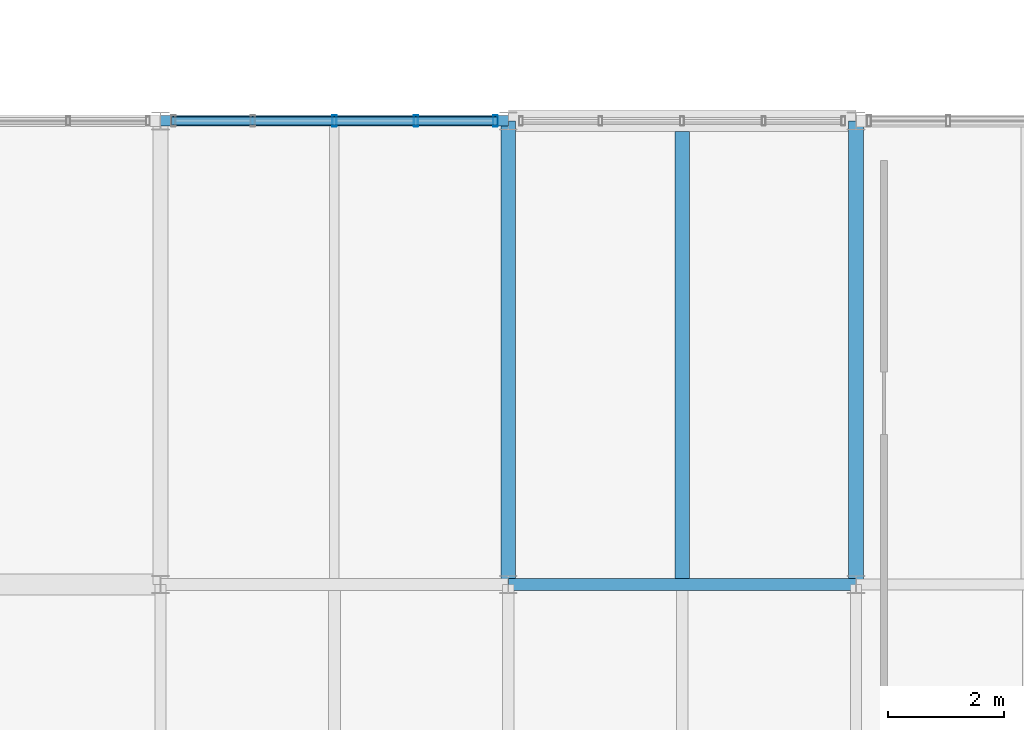
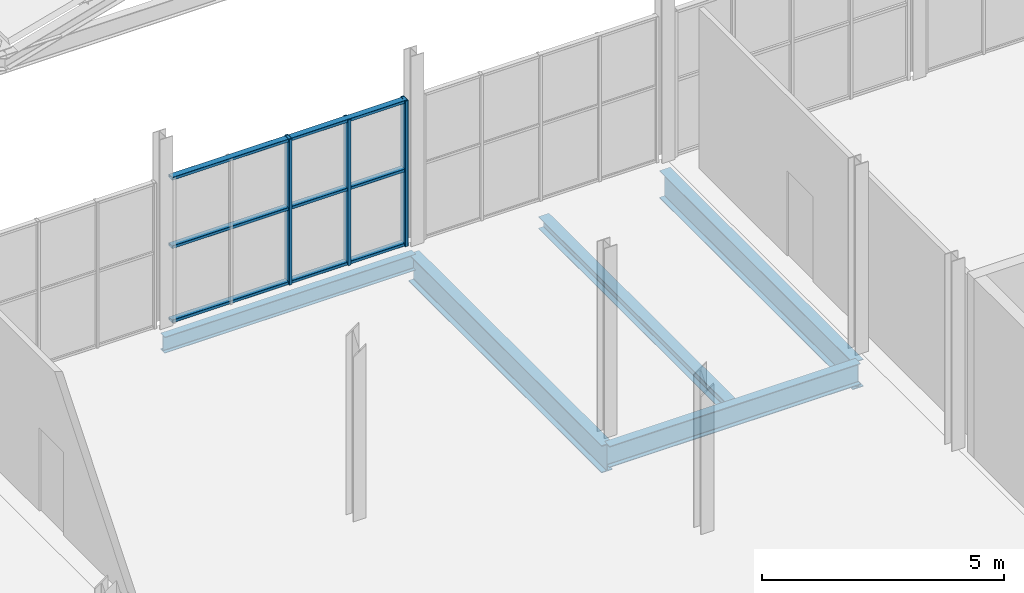
# One storey, part 74 of 114: 6 members, 5 beams, 1 element without a shape of its own.
"""IFC4 building model written with IfcOpenShell, lengths in metres."""

from ifc_helpers import new_model, si_unit, direction, frame, origin, origin_2d, place, context, subcontext, project, spatial, hollow_rectangle, i_section, extrude, material, material_profile, profile_set, type_object, element, aggregate, save


model = new_model("IFC4")

# Units and contexts
model_context = context("Model", 3, precision=1e-05, world=origin(), true_north=direction((0.0, 1.0)))
body_context = subcontext(model_context, "Body", "Model", "MODEL_VIEW")
ifc_project = project(units=[si_unit("LENGTHUNIT", "METRE"), si_unit("AREAUNIT", "SQUARE_METRE"), si_unit("VOLUMEUNIT", "CUBIC_METRE"), si_unit("PLANEANGLEUNIT", "RADIAN"), si_unit("MASSUNIT", "GRAM", prefix="KILO")], contexts=[model_context])

# Site, building, storey
site_placement = place(None, origin())
site = spatial("IfcSite", under=ifc_project, at=site_placement, CompositionType="ELEMENT")
building_placement = place(site_placement, origin())
building = spatial("IfcBuilding", under=site, at=building_placement, Name="Verrall Gate Interchange", CompositionType="ELEMENT")
storey_placement = place(building_placement, frame((0.0, 0.0, 6.60009765625)))
storey = spatial("IfcBuildingStorey", under=building, at=storey_placement, Name="L02", CompositionType="ELEMENT", Elevation=6.60009765625)

# Beams
ifc_material_1 = material(Name="Structural Steel CSA G40.21 350WT Cat 4", Category="steel")
ifc_material_profile_1 = material_profile(ifc_material_1, i_section(OverallWidth=0.256103515625, OverallDepth=0.693115234375, WebThickness=0.01318359375, FlangeThickness=0.02001953125, FilletRadius=0.01611328125, at=origin_2d()), Name="W690x170")
ifc_profile_set_1 = profile_set([ifc_material_profile_1], Name="Structural Steel CSA G40.21 350WT Cat 4")
beam_type_1 = type_object("IfcBeamType", Name="B-07 Structural Beam W690x170", PredefinedType="BEAM", material=ifc_profile_set_1)
for number, where, z_axis, x_axis, name in (
    (1, (144.0, 48.0, -0.626708984375), (0.0, 1.0, 0.0), (-1.0, 0.0, 0.0), "L02 Girder BM-L02-1806 (B-07)"),
    (2, (150.0, 48.0, -0.626708984375), (0.0, 1.0, 0.0), (-1.0, 0.0, 0.0), "L02 Girder BM-L02-1814 (B-07)"),
):
    element("IfcBeam", number, at=place(storey_placement, frame(where, z_axis=z_axis, x_axis=x_axis)), inside=storey, type_object=beam_type_1, Name=name, PredefinedType="BEAM", context=body_context, shape_type="SweptSolid", body=[
        extrude(i_section(OverallWidth=0.256103515625, OverallDepth=0.693115234375, WebThickness=0.01318359375, FlangeThickness=0.02001953125, FilletRadius=0.01611328125, at=origin_2d()), origin(), (0.0, 0.0, 1.0), 8.0),
    ])
ifc_material_2 = material(Name="Structural Steel CSA G40.21 350W", Category="steel")
ifc_material_profile_2 = material_profile(ifc_material_2, i_section(OverallWidth=0.2109375, OverallDepth=0.5390625, WebThickness=0.01171875, FlangeThickness=0.018798828125, FilletRadius=0.013916015625, at=origin_2d()), Name="W530x109")
ifc_profile_set_2 = profile_set([ifc_material_profile_2], Name="Structural Steel CSA G40.21 350W")
beam_type_2 = type_object("IfcBeamType", Name="B-10 Structural Beam W530x109", PredefinedType="BEAM", material=ifc_profile_set_2)
beam_1_placement = place(storey_placement, frame((144.0, 48.0, -0.549560546875), z_axis=(1.0, 0.0, 0.0), x_axis=(0.0, 1.0, 0.0)))
element("IfcBeam", 3, at=beam_1_placement, inside=storey, type_object=beam_type_2, Name="L02 Girder BM-L02-1584 (B-10)", PredefinedType="BEAM", context=body_context, shape_type="SweptSolid", body=[
    extrude(i_section(OverallWidth=0.2109375, OverallDepth=0.5390625, WebThickness=0.01171875, FlangeThickness=0.018798828125, FilletRadius=0.013916015625, at=origin_2d()), origin(), (0.0, 0.0, 1.0), 6.0),
])
ifc_material_3 = material(Name="Structural Steel CSA G40.21 350W", Category="steel")
ifc_material_profile_3 = material_profile(ifc_material_3, i_section(OverallWidth=0.178955078125, OverallDepth=0.409912109375, WebThickness=0.0087890625, FlangeThickness=0.014404296875, FilletRadius=0.011962890625, at=origin_2d()), Name="W410x67")
ifc_profile_set_3 = profile_set([ifc_material_profile_3], Name="Structural Steel CSA G40.21 350W")
beam_type_3 = type_object("IfcBeamType", Name="B-12 Structural Beam W410x67", PredefinedType="BEAM", material=ifc_profile_set_3)
beam_2_placement = place(storey_placement, frame((138.0, 56.0, -0.485107421875), z_axis=(1.0, 0.0, 0.0), x_axis=(0.0, 1.0, 0.0)))
element("IfcBeam", 4, at=beam_2_placement, inside=storey, type_object=beam_type_3, Name="L02 Girder BM-L02-1605 (B-12)", PredefinedType="BEAM", context=body_context, shape_type="SweptSolid", body=[
    extrude(i_section(OverallWidth=0.178955078125, OverallDepth=0.409912109375, WebThickness=0.0087890625, FlangeThickness=0.014404296875, FilletRadius=0.011962890625, at=origin_2d()), origin(), (0.0, 0.0, 1.0), 6.0),
])

# Curtain wall, members
ifc_material_4 = material(Name="Thermally Broken Anodized Aluminium Curtain Wall Framing", Category="aluminium")
curtain_wall_type = type_object("IfcCurtainWallType", Name="CW-28 Unitized Curtain Wall 5629x3680", PredefinedType="NOTDEFINED", material=ifc_material_4)
curtain_wall_placement = place(storey_placement, origin())
curtain_wall = element("IfcCurtainWall", 5, at=curtain_wall_placement, inside=storey, type_object=curtain_wall_type, Name="L02 Unitized Curtain Wall CW-L02-099", PredefinedType="NOTDEFINED")
ifc_material_5 = material(Name="Thermally Broken Anodized Aluminium Curtain Wall Framing", Category="aluminium")
ifc_material_profile_4 = material_profile(ifc_material_5, hollow_rectangle(XDim=0.074951171875, YDim=0.199951171875, WallThickness=0.0048828125, InnerFilletRadius=0.0048828125, OuterFilletRadius=0.010009765625, at=origin_2d()), Name="CWM200x75x5")
ifc_profile_set_4 = profile_set([ifc_material_profile_4], Name="Thermally Broken Anodized Aluminium Curtain Wall Framing")
member_type_1 = type_object("IfcMemberType", Name="CM-02 Curtain Mullion CWM200x75x5", PredefinedType="MULLION", material=ifc_profile_set_4)
member_1_placement = place(storey_placement, frame((143.777099609375, 56.0, 0.0), z_axis=(0.0, 0.0, 1.0), x_axis=(-1.0, 0.0, 0.0)))
member_1 = element("IfcMember", 6, at=member_1_placement, type_object=member_type_1, Name="CW-L02-099 Mullion 1", PredefinedType="MULLION", context=body_context, shape_type="SweptSolid", body=[
    extrude(hollow_rectangle(XDim=0.074951171875, YDim=0.199951171875, WallThickness=0.0048828125, InnerFilletRadius=0.0048828125, OuterFilletRadius=0.010009765625, at=origin_2d()), origin(), (0.0, 0.0, 1.0), 3.679931640625),
])
member_2_placement = place(storey_placement, frame((142.4072265625, 56.0, 0.0), z_axis=(0.0, 0.0, 1.0), x_axis=(-1.0, 0.0, 0.0)))
member_2 = element("IfcMember", 7, at=member_2_placement, type_object=member_type_1, Name="CW-L02-099 Mullion 2", PredefinedType="MULLION", context=body_context, shape_type="SweptSolid", body=[
    extrude(hollow_rectangle(XDim=0.074951171875, YDim=0.199951171875, WallThickness=0.0048828125, InnerFilletRadius=0.0048828125, OuterFilletRadius=0.010009765625, at=origin_2d()), origin(), (0.0, 0.0, 1.0), 3.679931640625),
])
member_3_placement = place(storey_placement, frame((141.0, 56.0, 0.0), z_axis=(0.0, 0.0, 1.0), x_axis=(-1.0, 0.0, 0.0)))
member_3 = element("IfcMember", 8, at=member_3_placement, type_object=member_type_1, Name="CW-L02-099 Mullion 3", PredefinedType="MULLION", context=body_context, shape_type="SweptSolid", body=[
    extrude(hollow_rectangle(XDim=0.074951171875, YDim=0.199951171875, WallThickness=0.0048828125, InnerFilletRadius=0.0048828125, OuterFilletRadius=0.010009765625, at=origin_2d()), origin(), (0.0, 0.0, 1.0), 3.679931640625),
])
ifc_material_6 = material(Name="Thermally Broken Anodized Aluminium Curtain Wall Framing", Category="aluminium")
ifc_material_profile_5 = material_profile(ifc_material_6, hollow_rectangle(XDim=0.14990234375, YDim=0.074951171875, WallThickness=0.00439453125, InnerFilletRadius=0.00439453125, OuterFilletRadius=0.009033203125, at=origin_2d()), Name="CWT150x75x4.5")
ifc_profile_set_5 = profile_set([ifc_material_profile_5], Name="Thermally Broken Anodized Aluminium Curtain Wall Framing")
member_type_2 = type_object("IfcMemberType", Name="CT-02 Curtain Transom CWT150x75x4.5", PredefinedType="USERDEFINED", material=ifc_profile_set_5)
member_4_placement = place(storey_placement, frame((143.814453125, 56.0, 0.037353515625), z_axis=(-1.0, 0.0, 0.0), x_axis=(0.0, -1.0, 0.0)))
member_4 = element("IfcMember", 9, at=member_4_placement, type_object=member_type_2, Name="CW-L02-099 Transom 1", ObjectType="TRANSOM", PredefinedType="USERDEFINED", context=body_context, shape_type="SweptSolid", body=[
    extrude(hollow_rectangle(XDim=0.14990234375, YDim=0.074951171875, WallThickness=0.00439453125, InnerFilletRadius=0.00439453125, OuterFilletRadius=0.009033203125, at=origin_2d()), origin(), (0.0, 0.0, 1.0), 5.62890625),
])
member_5_placement = place(storey_placement, frame((143.814453125, 56.0, 1.91357421875), z_axis=(-1.0, 0.0, 0.0), x_axis=(0.0, -1.0, 0.0)))
member_5 = element("IfcMember", 10, at=member_5_placement, type_object=member_type_2, Name="CW-L02-099 Transom 2", ObjectType="TRANSOM", PredefinedType="USERDEFINED", context=body_context, shape_type="SweptSolid", body=[
    extrude(hollow_rectangle(XDim=0.14990234375, YDim=0.074951171875, WallThickness=0.00439453125, InnerFilletRadius=0.00439453125, OuterFilletRadius=0.009033203125, at=origin_2d()), origin(), (0.0, 0.0, 1.0), 5.62890625),
])
member_6_placement = place(storey_placement, frame((143.814453125, 56.0, 3.642333984375), z_axis=(-1.0, 0.0, 0.0), x_axis=(0.0, -1.0, 0.0)))
member_6 = element("IfcMember", 11, at=member_6_placement, type_object=member_type_2, Name="CW-L02-099 Transom 3", ObjectType="TRANSOM", PredefinedType="USERDEFINED", context=body_context, shape_type="SweptSolid", body=[
    extrude(hollow_rectangle(XDim=0.14990234375, YDim=0.074951171875, WallThickness=0.00439453125, InnerFilletRadius=0.00439453125, OuterFilletRadius=0.009033203125, at=origin_2d()), origin(), (0.0, 0.0, 1.0), 5.62890625),
])
aggregate(curtain_wall, [member_1, member_2, member_3, member_4, member_5, member_6])

# Beam
ifc_material_7 = material(Name="Structural Steel CSA G40.21 350W", Category="steel")
ifc_material_profile_6 = material_profile(ifc_material_7, i_section(OverallWidth=0.25390625, OverallDepth=0.305908203125, WebThickness=0.0087890625, FlangeThickness=0.0146484375, FilletRadius=0.012939453125, at=origin_2d()), Name="W310x79")
ifc_profile_set_6 = profile_set([ifc_material_profile_6], Name="Structural Steel CSA G40.21 350W")
beam_type_4 = type_object("IfcBeamType", Name="J-03 Floor Joist W310x79", PredefinedType="JOIST", material=ifc_profile_set_6)
beam_3_placement = place(storey_placement, frame((147.0, 48.10546875, -0.43310546875), z_axis=(0.0, 1.0, 0.0), x_axis=(-1.0, 0.0, 0.0)))
element("IfcBeam", 12, at=beam_3_placement, inside=storey, type_object=beam_type_4, Name="L02 Secondary Floor Joist JST-L02-1957", PredefinedType="JOIST", context=body_context, shape_type="SweptSolid", body=[
    extrude(i_section(OverallWidth=0.25390625, OverallDepth=0.305908203125, WebThickness=0.0087890625, FlangeThickness=0.0146484375, FilletRadius=0.012939453125, at=origin_2d()), origin(), (0.0, 0.0, 1.0), 7.7099609375),
])

save(model, "model.ifc")
